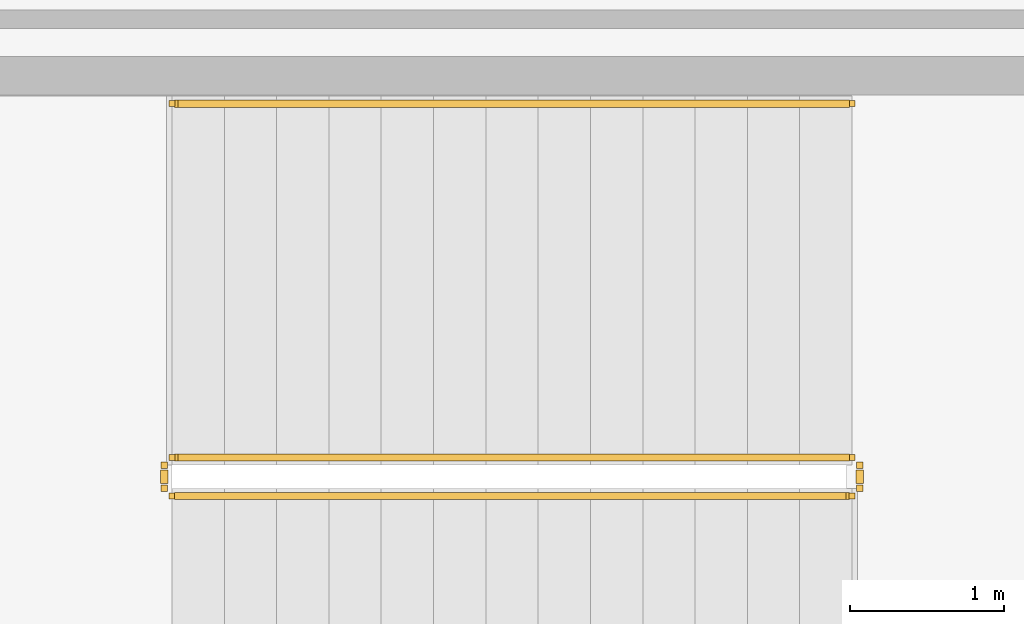
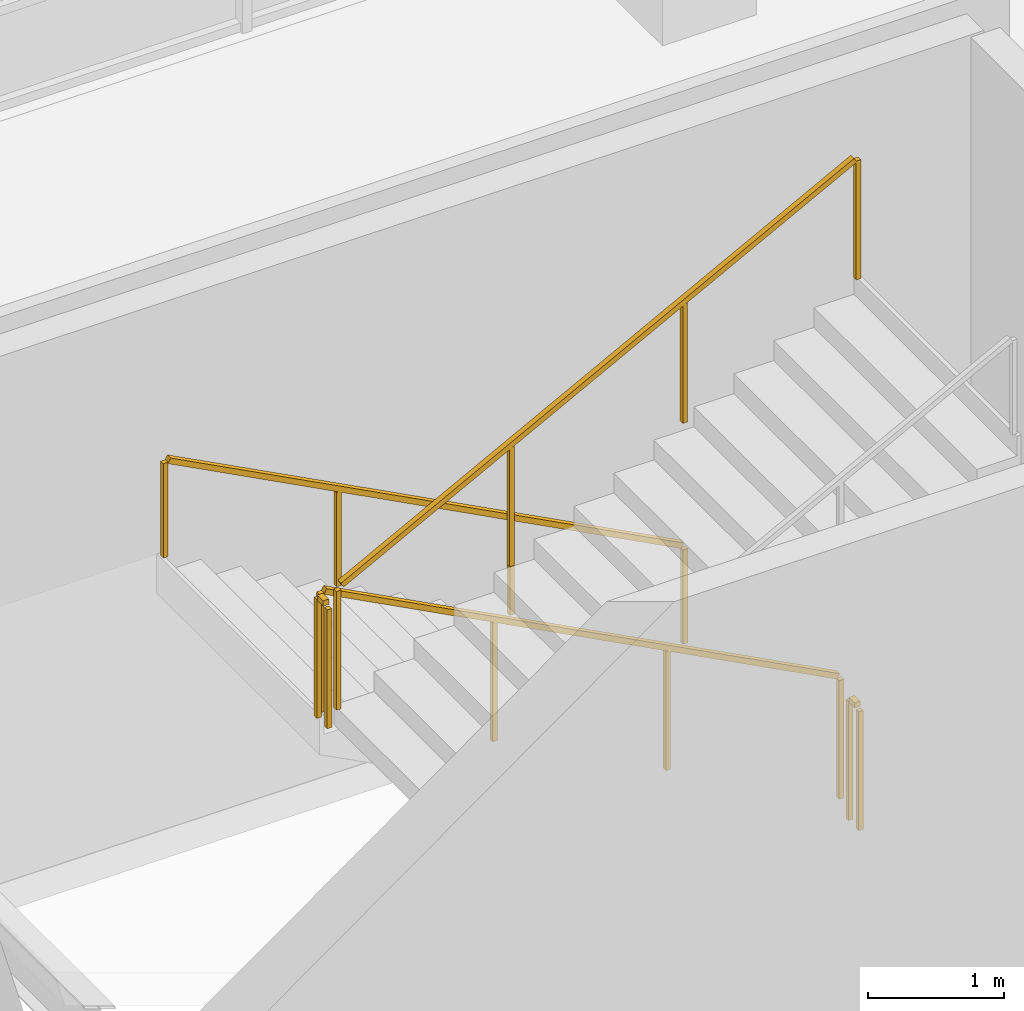
# One storey, part 24 of 24: 5 railings.
"""IFC4 building model written with IfcOpenShell, lengths in metres."""

import ifcopenshell
import ifcopenshell.guid

model = None  # the IFC model being written
_history = None  # IfcOwnerHistory: only IFC2X3 demands one
_inside = {}  # id of a spatial element -> (the spatial element, [elements in it])
_under = {}  # id of a project, library or spatial element -> (it, [spatial elements below it])
_declared = {}  # id of a project -> (the project, [libraries it declares])
_typed = {}  # id of a type object -> (the type object, [elements of that type])
_made_of = {}  # id of a material, layer set ... -> (it, [elements and type objects made of it])


def new_model(schema):
    """Start an empty IFC model of exactly this schema.

    Asked for "IFC4X3", IfcOpenShell would pick the latest addendum, in which some entities
    have other attributes; the version numbers below select the first issue.
    IFC2X3 requires an IfcOwnerHistory on every rooted entity: one is made here for all.
    """
    global model, _history
    if schema == "IFC4X3":
        model = ifcopenshell.file(schema_version=(4, 3, 0, 0))
    else:
        model = ifcopenshell.file(schema=schema)
    _inside.clear()
    _under.clear()
    _declared.clear()
    _typed.clear()
    _made_of.clear()
    _history = None
    if model.schema == "IFC2X3":
        org = make("IfcOrganization", Name="unknown")
        user = make(
            "IfcPersonAndOrganization",
            ThePerson=make("IfcPerson", FamilyName="unknown"),
            TheOrganization=org,
        )
        app = make(
            "IfcApplication",
            ApplicationDeveloper=org,
            Version="unknown",
            ApplicationFullName="unknown",
            ApplicationIdentifier="unknown",
        )
        _history = make(
            "IfcOwnerHistory",
            OwningUser=user,
            OwningApplication=app,
            ChangeAction="ADDED",
            CreationDate=0,
        )
    return model


def make(cls, **values):
    """One entity of the class cls with the attributes given. An attribute that is None is left unset."""
    return model.create_entity(
        cls, **{name: value for name, value in values.items() if value is not None}
    )


def rooted(cls, **values):
    """An entity with a GlobalId (a new one), such as an element, a storey or a relation."""
    return make(cls, GlobalId=ifcopenshell.guid.new(), OwnerHistory=_history, **values)


def si_unit(unit_type, name, prefix=None):
    """IfcSIUnit, for example si_unit("LENGTHUNIT", "METRE", prefix="MILLI")."""
    return make("IfcSIUnit", UnitType=unit_type, Prefix=prefix, Name=name)


def assignment(units):
    """IfcUnitAssignment: the units of a project."""
    return None if units is None else make("IfcUnitAssignment", Units=units)


def point(xyz):
    """IfcCartesianPoint."""
    return None if xyz is None else make("IfcCartesianPoint", Coordinates=xyz)


def direction(xyz):
    """IfcDirection."""
    return None if xyz is None else make("IfcDirection", DirectionRatios=xyz)


def frame(location, z_axis=None, x_axis=None):
    """IfcAxis2Placement3D, a coordinate frame: its origin and axes. An axis left out is left unset."""
    return make(
        "IfcAxis2Placement3D",
        Location=point(location),
        Axis=direction(z_axis),
        RefDirection=direction(x_axis),
    )


def frame_2d(location, x_axis=None):
    """IfcAxis2Placement2D, a coordinate frame in the plane: its origin and x axis."""
    return make(
        "IfcAxis2Placement2D", Location=point(location), RefDirection=direction(x_axis)
    )


def origin():
    """The frame at (0, 0, 0) with its axes left unset."""
    return frame((0.0, 0.0, 0.0))


def origin_2d():
    """The frame at (0, 0) in the plane with its x axis left unset."""
    return frame_2d((0.0, 0.0))


def place(relative_to, where):
    """IfcLocalPlacement: puts the frame where relative to a parent placement (None: the world)."""
    return make(
        "IfcLocalPlacement", PlacementRelTo=relative_to, RelativePlacement=where
    )


def context(
    kind, dimensions, precision=None, world=None, true_north=None, identifier=None
):
    """IfcGeometricRepresentationContext, for example the 3D "Model" context."""
    return make(
        "IfcGeometricRepresentationContext",
        ContextIdentifier=identifier,
        ContextType=kind,
        CoordinateSpaceDimension=dimensions,
        Precision=precision,
        WorldCoordinateSystem=world,
        TrueNorth=true_north,
    )


def subcontext(parent, identifier, kind, view, scale=None):
    """IfcGeometricRepresentationSubContext, for example "Body" below "Model"."""
    return make(
        "IfcGeometricRepresentationSubContext",
        ContextIdentifier=identifier,
        ContextType=kind,
        ParentContext=parent,
        TargetScale=scale,
        TargetView=view,
    )


def project(units=None, contexts=None):
    """IfcProject with its units and contexts."""
    return rooted(
        "IfcProject",
        Name="project",
        RepresentationContexts=contexts,
        UnitsInContext=assignment(units),
    )


def spatial(cls, under=None, at=None, **own):
    """A site, building, storey or space (cls), placed at a placement, below another one or the project."""
    s = rooted(cls, ObjectPlacement=at, **own)
    if under is not None:
        _under.setdefault(under.id(), (under, []))[1].append(s)
    return s


def profile(cls, at=None, kind="AREA", **sizes):
    """A parametric profile (cls). Its sizes go by their IFC names, for example OverallWidth=200.0."""
    return make(cls, ProfileType=kind, Position=at, **sizes)


def rectangle(**sizes):
    """IfcRectangleProfileDef."""
    return profile("IfcRectangleProfileDef", **sizes)


def extrude(swept, where, along, depth):
    """IfcExtrudedAreaSolid: the profile swept, set in the frame where, extruded along a direction by depth."""
    return make(
        "IfcExtrudedAreaSolid",
        SweptArea=swept,
        Position=where,
        ExtrudedDirection=direction(along),
        Depth=depth,
    )


def shape(context_of_items, identifier, shape_type, items):
    """IfcShapeRepresentation: the items that make up one representation, for example the "Body"."""
    return make(
        "IfcShapeRepresentation",
        ContextOfItems=context_of_items,
        RepresentationIdentifier=identifier,
        RepresentationType=shape_type,
        Items=items,
    )


def material(Name=None, Category=None):
    """IfcMaterial."""
    return make("IfcMaterial", Name=Name, Category=Category)


def made_of(thing, what):
    """Note that an element or type object is made of a material, layer set ...; save() writes the relation."""
    if what is not None:
        _made_of.setdefault(what.id(), (what, []))[1].append(thing)
    return thing


def type_object(cls, material=None, **own):
    """A type object (cls), such as IfcWallType, which elements share."""
    return made_of(rooted(cls, **own), material)


def element(
    cls,
    number,
    at=None,
    inside=None,
    cuts=None,
    type_object=None,
    material=None,
    context=None,
    identifier="Body",
    shape_type=None,
    held_by="IfcProductDefinitionShape",
    body=None,
    shapes=None,
    **own,
):
    """One element of the class cls, such as IfcWall. Its Tag is "e" and its number.

    at: its placement. inside: the storey or other place that contains it. cuts: it is an
    opening in that element (IfcRelVoidsElement). A single representation is given by context,
    identifier, shape_type and body (its items); several are given by shapes. held_by: the class
    of the entity that holds the representations. save() writes the other relations.
    """
    e = rooted(cls, Tag="e%d" % number, ObjectPlacement=at, **own)
    if body is not None:
        shapes = [shape(context, identifier, shape_type, body)]
    if shapes is not None:
        e.Representation = make(held_by, Representations=shapes)
    if inside is not None:
        _inside.setdefault(inside.id(), (inside, []))[1].append(e)
    if cuts is not None:
        rooted(
            "IfcRelVoidsElement", RelatingBuildingElement=cuts, RelatedOpeningElement=e
        )
    if type_object is not None:
        _typed.setdefault(type_object.id(), (type_object, []))[1].append(e)
    return made_of(e, material)


def aggregate(whole, parts):
    """IfcRelAggregates: a whole, such as a stair, and the parts it consists of."""
    return rooted("IfcRelAggregates", RelatingObject=whole, RelatedObjects=parts)


def save(model, path):
    """Write the relations noted so far, then the file.

    IfcRelAggregates (storeys below a building ...), IfcRelContainedInSpatialStructure (elements
    in a storey), IfcRelDefinesByType, IfcRelAssociatesMaterial and IfcRelDeclares: one each for
    every whole, place, type object, material and project.
    """
    for whole, parts in _under.values():
        aggregate(whole, parts)
    for where, things in _inside.values():
        rooted(
            "IfcRelContainedInSpatialStructure",
            RelatedElements=things,
            RelatingStructure=where,
        )
    for kind, things in _typed.values():
        rooted("IfcRelDefinesByType", RelatedObjects=things, RelatingType=kind)
    for what, things in _made_of.values():
        rooted("IfcRelAssociatesMaterial", RelatedObjects=things, RelatingMaterial=what)
    for by, libraries in _declared.values():
        rooted("IfcRelDeclares", RelatingContext=by, RelatedDefinitions=libraries)
    model.write(path)


model = new_model("IFC4")

# Units and contexts
model_context = context("Model", 3, precision=1e-05, world=origin(), true_north=direction((0.0, 1.0)))
body_context = subcontext(model_context, "Body", "Model", "MODEL_VIEW")
ifc_project = project(units=[si_unit("LENGTHUNIT", "METRE"), si_unit("AREAUNIT", "SQUARE_METRE"), si_unit("VOLUMEUNIT", "CUBIC_METRE"), si_unit("PLANEANGLEUNIT", "RADIAN"), si_unit("MASSUNIT", "GRAM", prefix="KILO")], contexts=[model_context])

# Site, building, storey
site_placement = place(None, origin())
site = spatial("IfcSite", under=ifc_project, at=site_placement, CompositionType="ELEMENT")
building_placement = place(site_placement, origin())
building = spatial("IfcBuilding", under=site, at=building_placement, Name="Tharavind Bronze Gate", CompositionType="ELEMENT")
storey_placement = place(building_placement, frame((0.0, 0.0, 21.5)))
storey = spatial("IfcBuildingStorey", under=building, at=storey_placement, Name="L04", CompositionType="ELEMENT", Elevation=21.5)

# Railings
ifc_material = material(Name="Brushed Bronze Alloy", Category="metal")
railing_type_1 = type_object("IfcRailingType", Name="STAIR BRONZE HANDRAIL 900", PredefinedType="HANDRAIL", material=ifc_material)
railing_1_placement = place(storey_placement, frame((26.0, 17.89990234375, 0.178466796875)))
element("IfcRailing", 1, at=railing_1_placement, inside=storey, type_object=railing_type_1, Name="L04 ST4 stair handrail 1", PredefinedType="HANDRAIL", context=body_context, shape_type="SweptSolid", body=[
    extrude(rectangle(XDim=0.048095703125, YDim=0.048095703125, at=origin_2d()), frame((-0.0283203125, 0.0, 0.890625), z_axis=(-0.885309332511, 0.0, 0.465002565336), x_axis=(0.0, -1.0, 0.0)), (0.0, 0.0, 1.0), 4.928466796875),
    extrude(rectangle(XDim=0.0400390625, YDim=0.0400390625, at=origin_2d()), origin(), (0.0, 0.0, 1.0), 0.847900390625),
    extrude(rectangle(XDim=0.0400390625, YDim=0.0400390625, at=origin_2d()), frame((-1.473388671875, 0.0, 0.77392578125)), (0.0, 0.0, 1.0), 0.847900390625),
    extrude(rectangle(XDim=0.0400390625, YDim=0.0400390625, at=origin_2d()), frame((-2.946533203125, 0.0, 1.547607421875)), (0.0, 0.0, 1.0), 0.847900390625),
    extrude(rectangle(XDim=0.0400390625, YDim=0.0400390625, at=origin_2d()), frame((-4.419921875, 0.0, 2.321533203125)), (0.0, 0.0, 1.0), 0.847900390625),
])
railing_type_2 = type_object("IfcRailingType", Name="STAIR WELL GUARD RAILING 1120", PredefinedType="GUARDRAIL", material=ifc_material)
railing_2_placement = place(storey_placement, frame((26.0, 15.60009765625, 0.178466796875)))
element("IfcRailing", 2, at=railing_2_placement, inside=storey, type_object=railing_type_2, Name="L04 ST4 stair guard 1", PredefinedType="GUARDRAIL", context=body_context, shape_type="SweptSolid", body=[
    extrude(rectangle(XDim=0.048095703125, YDim=0.048095703125, at=origin_2d()), frame((-0.0283203125, 0.0, 1.11083984375), z_axis=(-0.885309332511, 0.0, 0.465002565336), x_axis=(0.0, -1.0, 0.0)), (0.0, 0.0, 1.0), 4.928466796875),
    extrude(rectangle(XDim=0.0400390625, YDim=0.0400390625, at=origin_2d()), origin(), (0.0, 0.0, 1.0), 1.068115234375),
    extrude(rectangle(XDim=0.0400390625, YDim=0.0400390625, at=origin_2d()), frame((-1.473388671875, 0.0, 0.77392578125)), (0.0, 0.0, 1.0), 1.068115234375),
    extrude(rectangle(XDim=0.0400390625, YDim=0.0400390625, at=origin_2d()), frame((-2.946533203125, 0.0, 1.547607421875)), (0.0, 0.0, 1.0), 1.068115234375),
    extrude(rectangle(XDim=0.0400390625, YDim=0.0400390625, at=origin_2d()), frame((-4.419921875, 0.0, 2.321533203125)), (0.0, 0.0, 1.0), 1.068115234375),
])
railing_3_placement = place(storey_placement, frame((21.530029296875, 15.550048828125, 2.5)))
element("IfcRailing", 3, at=railing_3_placement, inside=storey, type_object=railing_type_2, Name="L04 ST4 stair guard 2", PredefinedType="GUARDRAIL", context=body_context, shape_type="SweptSolid", body=[
    extrude(rectangle(XDim=0.048095703125, YDim=0.048095703125, at=origin_2d()), frame((0.0, -0.031982421875, 1.09619140625), z_axis=(0.0, -1.0, 0.0), x_axis=(1.0, 0.0, 0.0)), (0.0, 0.0, 1.0), 0.086181640625),
    extrude(rectangle(XDim=0.0400390625, YDim=0.0400390625, at=origin_2d()), origin(), (0.0, 0.0, 1.0), 1.068115234375),
    extrude(rectangle(XDim=0.0400390625, YDim=0.0400390625, at=origin_2d()), frame((0.0, -0.150146484375, 0.0)), (0.0, 0.0, 1.0), 1.068115234375),
])
railing_4_placement = place(storey_placement, frame((21.580078125, 15.35009765625, 2.678466796875)))
element("IfcRailing", 4, at=railing_4_placement, inside=storey, type_object=railing_type_2, Name="L04 ST4 stair guard 3", PredefinedType="GUARDRAIL", context=body_context, shape_type="SweptSolid", body=[
    extrude(rectangle(XDim=0.048095703125, YDim=0.048095703125, at=origin_2d()), frame((0.0283203125, 0.0, 1.11083984375), z_axis=(0.885309332511, 0.0, 0.465002565336), x_axis=(0.0, 1.0, 0.0)), (0.0, 0.0, 1.0), 4.928466796875),
    extrude(rectangle(XDim=0.0400390625, YDim=0.0400390625, at=origin_2d()), origin(), (0.0, 0.0, 1.0), 1.068115234375),
    extrude(rectangle(XDim=0.0400390625, YDim=0.0400390625, at=origin_2d()), frame((1.473388671875, 0.0, 0.77392578125)), (0.0, 0.0, 1.0), 1.068115234375),
    extrude(rectangle(XDim=0.0400390625, YDim=0.0400390625, at=origin_2d()), frame((2.946533203125, 0.0, 1.547607421875)), (0.0, 0.0, 1.0), 1.068115234375),
    extrude(rectangle(XDim=0.0400390625, YDim=0.0400390625, at=origin_2d()), frame((4.419921875, 0.0, 2.321533203125)), (0.0, 0.0, 1.0), 1.068115234375),
])
railing_5_placement = place(storey_placement, frame((26.050048828125, 15.550048828125, 0.0)))
element("IfcRailing", 5, at=railing_5_placement, inside=storey, type_object=railing_type_2, Name="L04 ST4 stair guard 4", PredefinedType="GUARDRAIL", context=body_context, shape_type="SweptSolid", body=[
    extrude(rectangle(XDim=0.048095703125, YDim=0.048095703125, at=origin_2d()), frame((0.0, -0.031982421875, 1.09619140625), z_axis=(0.0, -1.0, 0.0), x_axis=(1.0, 0.0, 0.0)), (0.0, 0.0, 1.0), 0.086181640625),
    extrude(rectangle(XDim=0.0400390625, YDim=0.0400390625, at=origin_2d()), origin(), (0.0, 0.0, 1.0), 1.068115234375),
    extrude(rectangle(XDim=0.0400390625, YDim=0.0400390625, at=origin_2d()), frame((0.0, -0.150146484375, 0.0)), (0.0, 0.0, 1.0), 1.068115234375),
])

save(model, "model.ifc")
